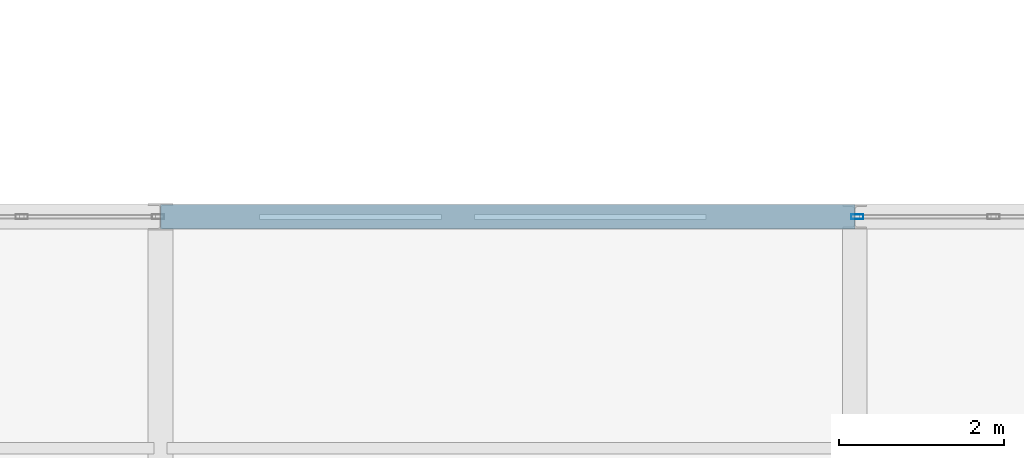
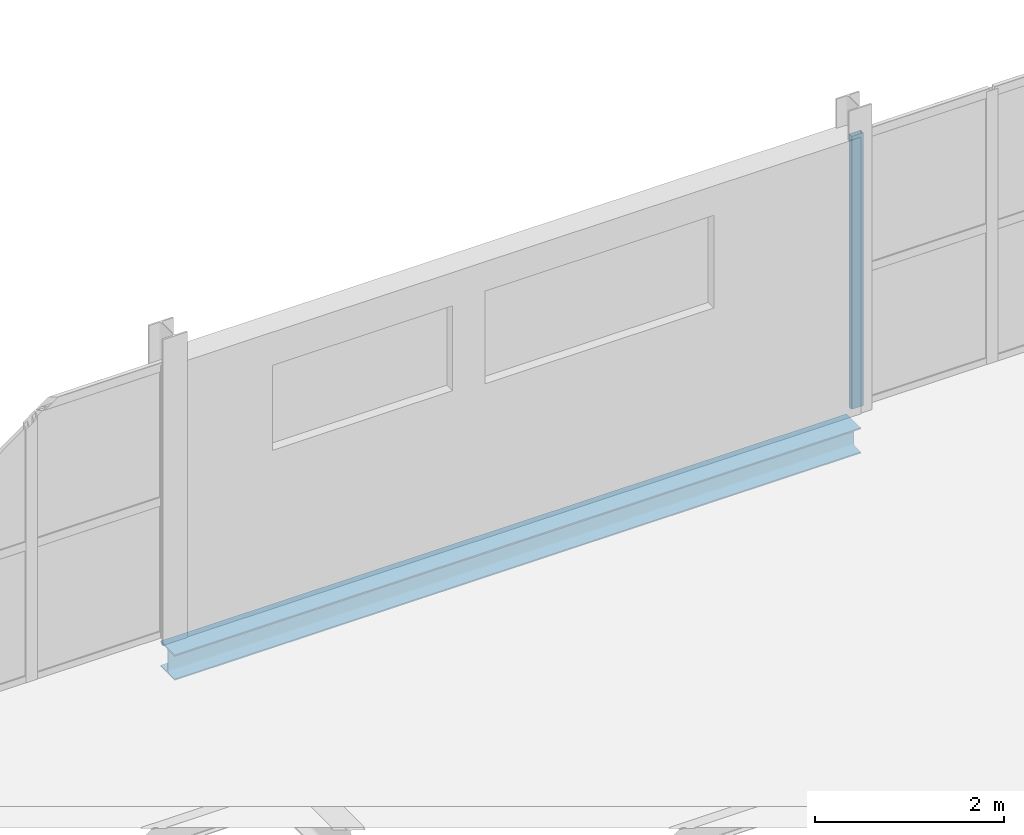
# One storey, part 102 of 163: 1 beam, 1 member, 1 element without a shape of its own.
"""IFC4 building model written with IfcOpenShell, lengths in metres."""

from ifc_helpers import new_model, si_unit, direction, frame, origin, origin_2d, place, context, subcontext, project, spatial, hollow_rectangle, i_section, extrude, material, layer, layer_set, material_profile, profile_set, type_object, element, aggregate, save


model = new_model("IFC4")

# Units and contexts
model_context = context("Model", 3, precision=1e-05, world=origin(), true_north=direction((0.0, 1.0)))
body_context = subcontext(model_context, "Body", "Model", "MODEL_VIEW")
ifc_project = project(units=[si_unit("LENGTHUNIT", "METRE"), si_unit("AREAUNIT", "SQUARE_METRE"), si_unit("VOLUMEUNIT", "CUBIC_METRE"), si_unit("PLANEANGLEUNIT", "RADIAN"), si_unit("MASSUNIT", "GRAM", prefix="KILO")], contexts=[model_context])

# Site, building, storey
site_placement = place(None, origin())
site = spatial("IfcSite", under=ifc_project, at=site_placement, CompositionType="ELEMENT")
building_placement = place(site_placement, origin())
building = spatial("IfcBuilding", under=site, at=building_placement, Name="Qalvenar Corner Mobility Hub", CompositionType="ELEMENT")
storey_placement = place(building_placement, frame((0.0, 0.0, 4.800048828125)))
storey = spatial("IfcBuildingStorey", under=building, at=storey_placement, Name="L01", CompositionType="ELEMENT", Elevation=4.800048828125)

# Beam
ifc_material_1 = material(Name="Steel S355", Category="steel")
ifc_material_profile_1 = material_profile(ifc_material_1, i_section(OverallWidth=0.300048828125, OverallDepth=0.330078125, WebThickness=0.009521484375, FlangeThickness=0.0166015625, FilletRadius=0.027099609375, at=origin_2d()), Name="HEA340")
ifc_profile_set_1 = profile_set([ifc_material_profile_1], Name="Steel S355")
beam_type = type_object("IfcBeamType", Name="BM-SPN340", PredefinedType="SPANDREL", material=ifc_profile_set_1)
beam_placement = place(storey_placement, frame((151.199951171875, 50.39990234375, -0.344970703125), z_axis=(1.0, 0.0, 0.0), x_axis=(0.0, 1.0, 0.0)))
element("IfcBeam", 1, at=beam_placement, inside=storey, type_object=beam_type, Name="Primary Steel Girder GX-1025", PredefinedType="SPANDREL", context=body_context, shape_type="SweptSolid", body=[
    extrude(i_section(OverallWidth=0.300048828125, OverallDepth=0.330078125, WebThickness=0.009521484375, FlangeThickness=0.0166015625, FilletRadius=0.027099609375, at=origin_2d()), origin(), (0.0, 0.0, 1.0), 8.400146484375),
])

# Curtain wall, member
ifc_material_2 = material(Name="Anodised Aluminium and Low-E Glazing", Category="aluminium")
ifc_layer = layer(ifc_material_2, 0.14990234375)
ifc_layer_set = layer_set([ifc_layer], Name="Anodised Aluminium and Low-E Glazing")
curtain_wall_type = type_object("IfcCurtainWallType", Name="CW-WKS-84X44", PredefinedType="NOTDEFINED", material=ifc_layer_set)
curtain_wall_placement = place(storey_placement, origin())
curtain_wall = element("IfcCurtainWall", 2, at=curtain_wall_placement, inside=storey, type_object=curtain_wall_type, Name="Glazed Curtain Wall CW-V6-L01-N6", PredefinedType="NOTDEFINED")
ifc_material_3 = material(Name="Anodised Aluminium 6063-T6", Category="aluminium")
ifc_material_profile_2 = material_profile(ifc_material_3, hollow_rectangle(XDim=0.06005859375, YDim=0.14990234375, WallThickness=0.00390625, InnerFilletRadius=0.00390625, OuterFilletRadius=0.008056640625, at=origin_2d()), Name="RHS150x60x4")
ifc_profile_set_2 = profile_set([ifc_material_profile_2], Name="Anodised Aluminium 6063-T6")
member_type = type_object("IfcMemberType", Name="CW-MUL150", PredefinedType="MULLION", material=ifc_profile_set_2)
member_placement = place(storey_placement, frame((159.6298828125, 50.39990234375, 0.0), z_axis=(0.0, 0.0, 1.0), x_axis=(0.0, -1.0, 0.0)))
member = element("IfcMember", 3, at=member_placement, type_object=member_type, Name="CW-09 mullion 6", PredefinedType="MULLION", context=body_context, shape_type="SweptSolid", body=[
    extrude(hollow_rectangle(XDim=0.06005859375, YDim=0.14990234375, WallThickness=0.00390625, InnerFilletRadius=0.00390625, OuterFilletRadius=0.008056640625, at=origin_2d()), origin(), (0.0, 0.0, 1.0), 3.530029296875),
])
aggregate(curtain_wall, [member])

save(model, "model.ifc")
